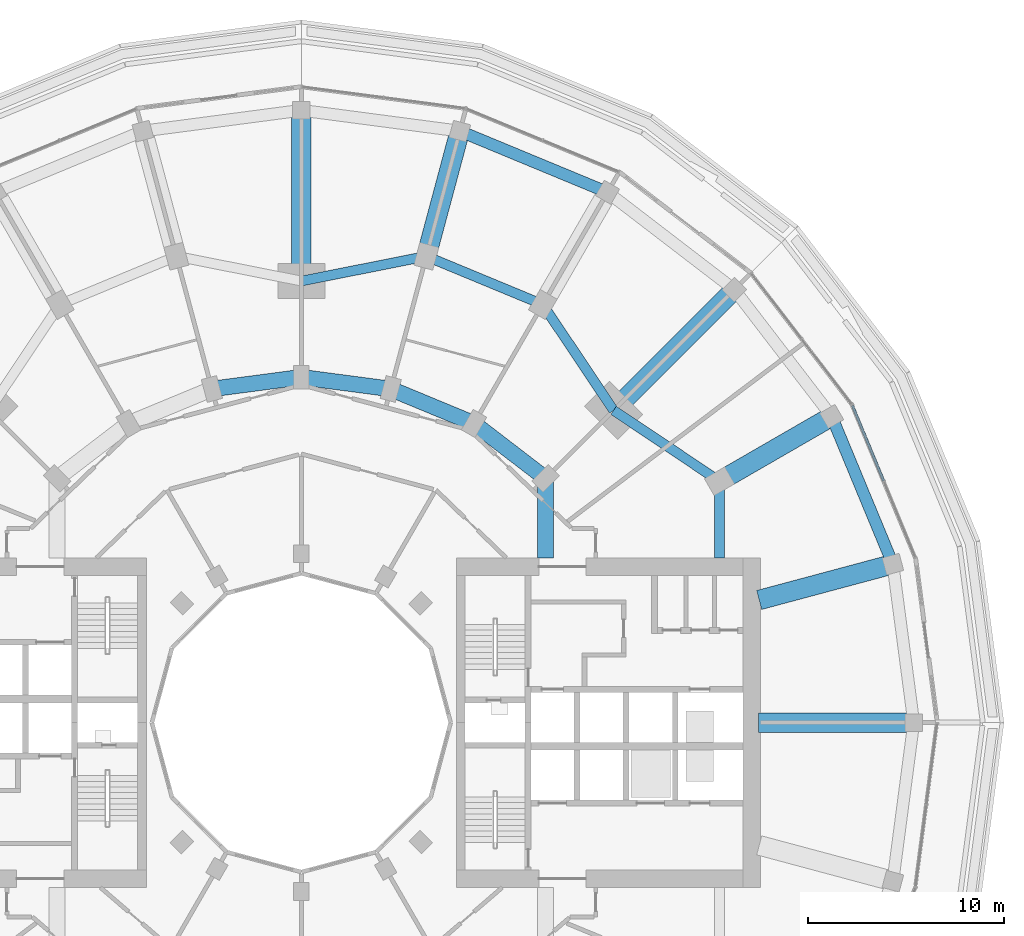
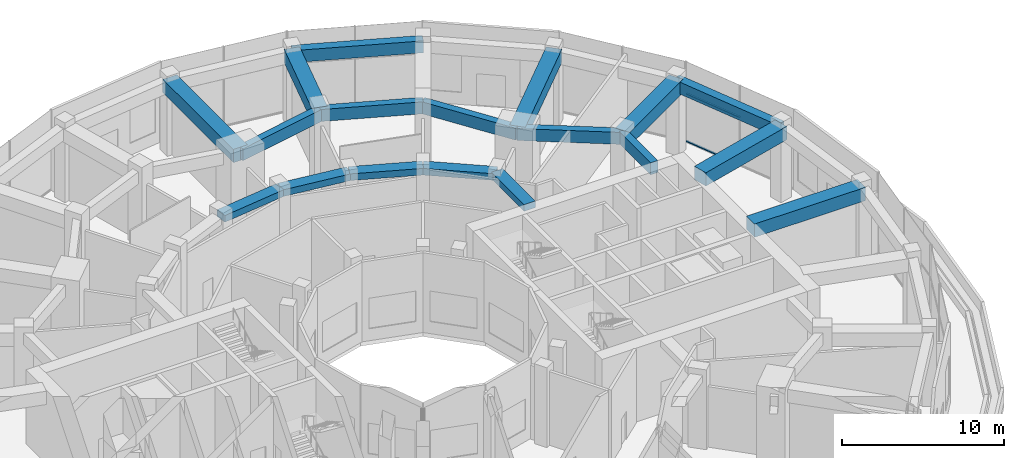
# One storey, part 9 of 23: 18 beams, 2 members, 1 element without a shape of its own.
"""IFC4 building model written with IfcOpenShell, lengths in metres."""

import ifcopenshell
import ifcopenshell.guid

model = None  # the IFC model being written
_history = None  # IfcOwnerHistory: only IFC2X3 demands one
_inside = {}  # id of a spatial element -> (the spatial element, [elements in it])
_under = {}  # id of a project, library or spatial element -> (it, [spatial elements below it])
_declared = {}  # id of a project -> (the project, [libraries it declares])
_typed = {}  # id of a type object -> (the type object, [elements of that type])
_made_of = {}  # id of a material, layer set ... -> (it, [elements and type objects made of it])


def new_model(schema):
    """Start an empty IFC model of exactly this schema.

    Asked for "IFC4X3", IfcOpenShell would pick the latest addendum, in which some entities
    have other attributes; the version numbers below select the first issue.
    IFC2X3 requires an IfcOwnerHistory on every rooted entity: one is made here for all.
    """
    global model, _history
    if schema == "IFC4X3":
        model = ifcopenshell.file(schema_version=(4, 3, 0, 0))
    else:
        model = ifcopenshell.file(schema=schema)
    _inside.clear()
    _under.clear()
    _declared.clear()
    _typed.clear()
    _made_of.clear()
    _history = None
    if model.schema == "IFC2X3":
        org = make("IfcOrganization", Name="unknown")
        user = make(
            "IfcPersonAndOrganization",
            ThePerson=make("IfcPerson", FamilyName="unknown"),
            TheOrganization=org,
        )
        app = make(
            "IfcApplication",
            ApplicationDeveloper=org,
            Version="unknown",
            ApplicationFullName="unknown",
            ApplicationIdentifier="unknown",
        )
        _history = make(
            "IfcOwnerHistory",
            OwningUser=user,
            OwningApplication=app,
            ChangeAction="ADDED",
            CreationDate=0,
        )
    return model


def make(cls, **values):
    """One entity of the class cls with the attributes given. An attribute that is None is left unset."""
    return model.create_entity(
        cls, **{name: value for name, value in values.items() if value is not None}
    )


def rooted(cls, **values):
    """An entity with a GlobalId (a new one), such as an element, a storey or a relation."""
    return make(cls, GlobalId=ifcopenshell.guid.new(), OwnerHistory=_history, **values)


def si_unit(unit_type, name, prefix=None):
    """IfcSIUnit, for example si_unit("LENGTHUNIT", "METRE", prefix="MILLI")."""
    return make("IfcSIUnit", UnitType=unit_type, Prefix=prefix, Name=name)


def assignment(units):
    """IfcUnitAssignment: the units of a project."""
    return None if units is None else make("IfcUnitAssignment", Units=units)


def point(xyz):
    """IfcCartesianPoint."""
    return None if xyz is None else make("IfcCartesianPoint", Coordinates=xyz)


def direction(xyz):
    """IfcDirection."""
    return None if xyz is None else make("IfcDirection", DirectionRatios=xyz)


def frame(location, z_axis=None, x_axis=None):
    """IfcAxis2Placement3D, a coordinate frame: its origin and axes. An axis left out is left unset."""
    return make(
        "IfcAxis2Placement3D",
        Location=point(location),
        Axis=direction(z_axis),
        RefDirection=direction(x_axis),
    )


def frame_2d(location, x_axis=None):
    """IfcAxis2Placement2D, a coordinate frame in the plane: its origin and x axis."""
    return make(
        "IfcAxis2Placement2D", Location=point(location), RefDirection=direction(x_axis)
    )


def origin():
    """The frame at (0, 0, 0) with its axes left unset."""
    return frame((0.0, 0.0, 0.0))


def origin_2d():
    """The frame at (0, 0) in the plane with its x axis left unset."""
    return frame_2d((0.0, 0.0))


def place(relative_to, where):
    """IfcLocalPlacement: puts the frame where relative to a parent placement (None: the world)."""
    return make(
        "IfcLocalPlacement", PlacementRelTo=relative_to, RelativePlacement=where
    )


def context(
    kind, dimensions, precision=None, world=None, true_north=None, identifier=None
):
    """IfcGeometricRepresentationContext, for example the 3D "Model" context."""
    return make(
        "IfcGeometricRepresentationContext",
        ContextIdentifier=identifier,
        ContextType=kind,
        CoordinateSpaceDimension=dimensions,
        Precision=precision,
        WorldCoordinateSystem=world,
        TrueNorth=true_north,
    )


def subcontext(parent, identifier, kind, view, scale=None):
    """IfcGeometricRepresentationSubContext, for example "Body" below "Model"."""
    return make(
        "IfcGeometricRepresentationSubContext",
        ContextIdentifier=identifier,
        ContextType=kind,
        ParentContext=parent,
        TargetScale=scale,
        TargetView=view,
    )


def project(units=None, contexts=None):
    """IfcProject with its units and contexts."""
    return rooted(
        "IfcProject",
        Name="project",
        RepresentationContexts=contexts,
        UnitsInContext=assignment(units),
    )


def spatial(cls, under=None, at=None, **own):
    """A site, building, storey or space (cls), placed at a placement, below another one or the project."""
    s = rooted(cls, ObjectPlacement=at, **own)
    if under is not None:
        _under.setdefault(under.id(), (under, []))[1].append(s)
    return s


def profile(cls, at=None, kind="AREA", **sizes):
    """A parametric profile (cls). Its sizes go by their IFC names, for example OverallWidth=200.0."""
    return make(cls, ProfileType=kind, Position=at, **sizes)


def rectangle(**sizes):
    """IfcRectangleProfileDef."""
    return profile("IfcRectangleProfileDef", **sizes)


def extrude(swept, where, along, depth):
    """IfcExtrudedAreaSolid: the profile swept, set in the frame where, extruded along a direction by depth."""
    return make(
        "IfcExtrudedAreaSolid",
        SweptArea=swept,
        Position=where,
        ExtrudedDirection=direction(along),
        Depth=depth,
    )


def shape(context_of_items, identifier, shape_type, items):
    """IfcShapeRepresentation: the items that make up one representation, for example the "Body"."""
    return make(
        "IfcShapeRepresentation",
        ContextOfItems=context_of_items,
        RepresentationIdentifier=identifier,
        RepresentationType=shape_type,
        Items=items,
    )


def material(Name=None, Category=None):
    """IfcMaterial."""
    return make("IfcMaterial", Name=Name, Category=Category)


def layer(
    of_material, thickness, ventilated=None, Name=None, Category=None, Priority=None
):
    """IfcMaterialLayer: one layer of a wall or slab, of a material (None: an air gap)."""
    return make(
        "IfcMaterialLayer",
        Material=of_material,
        LayerThickness=thickness,
        IsVentilated=ventilated,
        Name=Name,
        Category=Category,
        Priority=Priority,
    )


def layer_set(layers, Name=None):
    """IfcMaterialLayerSet."""
    return make("IfcMaterialLayerSet", MaterialLayers=layers, LayerSetName=Name)


def material_profile(
    of_material, cross_section, Name=None, Category=None, Priority=None
):
    """IfcMaterialProfile: a cross section and its material."""
    return make(
        "IfcMaterialProfile",
        Name=Name,
        Material=of_material,
        Profile=cross_section,
        Priority=Priority,
        Category=Category,
    )


def profile_set(profiles, Name=None, composite=None):
    """IfcMaterialProfileSet."""
    return make(
        "IfcMaterialProfileSet",
        Name=Name,
        MaterialProfiles=profiles,
        CompositeProfile=composite,
    )


def made_of(thing, what):
    """Note that an element or type object is made of a material, layer set ...; save() writes the relation."""
    if what is not None:
        _made_of.setdefault(what.id(), (what, []))[1].append(thing)
    return thing


def type_object(cls, material=None, **own):
    """A type object (cls), such as IfcWallType, which elements share."""
    return made_of(rooted(cls, **own), material)


def element(
    cls,
    number,
    at=None,
    inside=None,
    cuts=None,
    type_object=None,
    material=None,
    context=None,
    identifier="Body",
    shape_type=None,
    held_by="IfcProductDefinitionShape",
    body=None,
    shapes=None,
    **own,
):
    """One element of the class cls, such as IfcWall. Its Tag is "e" and its number.

    at: its placement. inside: the storey or other place that contains it. cuts: it is an
    opening in that element (IfcRelVoidsElement). A single representation is given by context,
    identifier, shape_type and body (its items); several are given by shapes. held_by: the class
    of the entity that holds the representations. save() writes the other relations.
    """
    e = rooted(cls, Tag="e%d" % number, ObjectPlacement=at, **own)
    if body is not None:
        shapes = [shape(context, identifier, shape_type, body)]
    if shapes is not None:
        e.Representation = make(held_by, Representations=shapes)
    if inside is not None:
        _inside.setdefault(inside.id(), (inside, []))[1].append(e)
    if cuts is not None:
        rooted(
            "IfcRelVoidsElement", RelatingBuildingElement=cuts, RelatedOpeningElement=e
        )
    if type_object is not None:
        _typed.setdefault(type_object.id(), (type_object, []))[1].append(e)
    return made_of(e, material)


def aggregate(whole, parts):
    """IfcRelAggregates: a whole, such as a stair, and the parts it consists of."""
    return rooted("IfcRelAggregates", RelatingObject=whole, RelatedObjects=parts)


def save(model, path):
    """Write the relations noted so far, then the file.

    IfcRelAggregates (storeys below a building ...), IfcRelContainedInSpatialStructure (elements
    in a storey), IfcRelDefinesByType, IfcRelAssociatesMaterial and IfcRelDeclares: one each for
    every whole, place, type object, material and project.
    """
    for whole, parts in _under.values():
        aggregate(whole, parts)
    for where, things in _inside.values():
        rooted(
            "IfcRelContainedInSpatialStructure",
            RelatedElements=things,
            RelatingStructure=where,
        )
    for kind, things in _typed.values():
        rooted("IfcRelDefinesByType", RelatedObjects=things, RelatingType=kind)
    for what, things in _made_of.values():
        rooted("IfcRelAssociatesMaterial", RelatedObjects=things, RelatingMaterial=what)
    for by, libraries in _declared.values():
        rooted("IfcRelDeclares", RelatingContext=by, RelatedDefinitions=libraries)
    model.write(path)


model = new_model("IFC4")

# Units and contexts
model_context = context("Model", 3, precision=1e-05, world=origin(), true_north=direction((0.0, 1.0)))
body_context = subcontext(model_context, "Body", "Model", "MODEL_VIEW")
ifc_project = project(units=[si_unit("LENGTHUNIT", "METRE"), si_unit("AREAUNIT", "SQUARE_METRE"), si_unit("VOLUMEUNIT", "CUBIC_METRE"), si_unit("PLANEANGLEUNIT", "RADIAN"), si_unit("MASSUNIT", "GRAM", prefix="KILO")], contexts=[model_context])

# Site, building, storey
site_placement = place(None, origin())
site = spatial("IfcSite", under=ifc_project, at=site_placement, CompositionType="ELEMENT")
building_placement = place(site_placement, origin())
building = spatial("IfcBuilding", under=site, at=building_placement, Name="Torre Brocal", CompositionType="ELEMENT")
storey_placement = place(building_placement, frame((0.0, 0.0, 17.800048828125)))
storey = spatial("IfcBuildingStorey", under=building, at=storey_placement, Name="L03", CompositionType="ELEMENT", Elevation=17.800048828125)

# Curtain wall, members
ifc_material_1 = material(Name="Aluminium and glass", Category="aluminium")
ifc_layer = layer(ifc_material_1, 0.199951171875)
ifc_layer_set = layer_set([ifc_layer], Name="Aluminium and glass")
curtain_wall_type = type_object("IfcCurtainWallType", Name="CW-6 CURTAIN WALL 6000 HIGH", PredefinedType="NOTDEFINED", material=ifc_layer_set)
curtain_wall_placement = place(storey_placement, origin())
curtain_wall = element("IfcCurtainWall", 1, at=curtain_wall_placement, inside=storey, type_object=curtain_wall_type, Name="CW-6 RUN 2", PredefinedType="NOTDEFINED")
ifc_material_2 = material(Name="Aluminium, dark anodised", Category="aluminium")
ifc_material_profile_1 = material_profile(ifc_material_2, rectangle(XDim=0.1298828125, YDim=0.070068359375, at=origin_2d()), Name="CW-6 TRANSOM 130X70")
ifc_profile_set_1 = profile_set([ifc_material_profile_1], Name="Aluminium, dark anodised")
member_type = type_object("IfcMemberType", Name="CW-6 TRANSOM 130X70", PredefinedType="USERDEFINED", material=ifc_profile_set_1)
member_1_placement = place(storey_placement, frame((109.667236328125, 87.315673828125, 0.034912109375), z_axis=(-0.38268227917, 0.923880010179, 0.0), x_axis=(-0.923880010179, -0.38268227917, 0.0)))
member_1 = element("IfcMember", 2, at=member_1_placement, type_object=member_type, Name="CW6-2 transom 2.1", ObjectType="TRANSOM", PredefinedType="USERDEFINED", context=body_context, shape_type="SweptSolid", body=[
    extrude(rectangle(XDim=0.1298828125, YDim=0.070068359375, at=origin_2d()), origin(), (0.0, 0.0, 1.0), 4.15380859375),
])
member_2_placement = place(storey_placement, frame((109.667236328125, 87.315673828125, 3.599853515625), z_axis=(-0.38268227917, 0.923880010179, 0.0), x_axis=(-0.923880010179, -0.38268227917, 0.0)))
member_2 = element("IfcMember", 3, at=member_2_placement, type_object=member_type, Name="CW6-2 transom 2.2", ObjectType="TRANSOM", PredefinedType="USERDEFINED", context=body_context, shape_type="SweptSolid", body=[
    extrude(rectangle(XDim=0.1298828125, YDim=0.070068359375, at=origin_2d()), origin(), (0.0, 0.0, 1.0), 4.15380859375),
])
aggregate(curtain_wall, [member_1, member_2])

# Beams
ifc_material_3 = material(Name="Concrete C50", Category="concrete")
ifc_material_profile_2 = material_profile(ifc_material_3, rectangle(XDim=0.60009765625, YDim=0.89990234375, at=origin_2d()), Name="RC 600X900")
ifc_profile_set_2 = profile_set([ifc_material_profile_2], Name="Concrete C50")
beam_type_1 = type_object("IfcBeamType", Name="RC BEAM 600X900 C50 TOP 5550", PredefinedType="BEAM", material=ifc_profile_set_2)
for number, where, z_axis, x_axis, name in (
    (4, (110.136962890625, 83.0751953125, 5.099853515625), (-0.382686235977, 0.923878371212, 0.0), (-0.923878371212, -0.382686235977, 0.0), "Beam BT-13"),
    (5, (95.60009765625, 102.02001953125, 5.099853515625), (-0.923878371212, 0.382686235977, 0.0), (-0.382686235977, -0.923878371212, 0.0), "Beam BT-13"),
):
    element("IfcBeam", number, at=place(storey_placement, frame(where, z_axis=z_axis, x_axis=x_axis)), inside=storey, type_object=beam_type_1, Name=name, PredefinedType="BEAM", context=body_context, shape_type="SweptSolid", body=[
        extrude(rectangle(XDim=0.60009765625, YDim=0.89990234375, at=origin_2d()), origin(), (0.0, 0.0, 1.0), 8.14501953125),
    ])
ifc_material_4 = material(Name="Concrete C50", Category="concrete")
ifc_material_profile_3 = material_profile(ifc_material_4, rectangle(XDim=0.800048828125, YDim=0.5, at=origin_2d()), Name="RC 800X500")
ifc_profile_set_3 = profile_set([ifc_material_profile_3], Name="Concrete C50")
beam_type_2 = type_object("IfcBeamType", Name="RC BEAM 800X500 C50 TOP 5550", PredefinedType="BEAM", material=ifc_profile_set_3)
beam_1_placement = place(storey_placement, frame((92.445068359375, 87.445068359375, 5.300048828125), z_axis=(-0.793358265959, 0.6087550097, 0.0), x_axis=(-0.6087550097, -0.793358265959, 0.0)))
element("IfcBeam", 6, at=beam_1_placement, inside=storey, type_object=beam_type_2, Name="Beam BT-14", PredefinedType="BEAM", context=body_context, shape_type="SweptSolid", body=[
    extrude(rectangle(XDim=0.800048828125, YDim=0.5, at=origin_2d()), origin(), (0.0, 0.0, 1.0), 4.594482421875),
])
beam_2_placement = place(storey_placement, frame((88.800048828125, 90.241943359375, 5.300048828125), z_axis=(-0.923878240166, 0.382686552348, 0.0), x_axis=(-0.382686552348, -0.923878240166, 0.0)))
element("IfcBeam", 7, at=beam_2_placement, inside=storey, type_object=beam_type_2, Name="Beam BT-14", PredefinedType="BEAM", context=body_context, shape_type="SweptSolid", body=[
    extrude(rectangle(XDim=0.800048828125, YDim=0.5, at=origin_2d()), origin(), (0.0, 0.0, 1.0), 4.5947265625),
])
for number, where, z_axis, x_axis, name in (
    (8, (84.55517578125, 92.000244140625, 5.300048828125), (-0.991440544449, 0.130558978332, 0.0), (-0.130558978332, -0.991440544449, 0.0), "Beam BT-14"),
    (9, (80.0, 92.60009765625, 5.300048828125), (-0.991440544449, -0.130558978332, 0.0), (0.130558978332, -0.991440544449, 0.0), "Beam BT-14"),
):
    element("IfcBeam", number, at=place(storey_placement, frame(where, z_axis=z_axis, x_axis=x_axis)), inside=storey, type_object=beam_type_2, Name=name, PredefinedType="BEAM", context=body_context, shape_type="SweptSolid", body=[
        extrude(rectangle(XDim=0.800048828125, YDim=0.5, at=origin_2d()), origin(), (0.0, 0.0, 1.0), 4.594482421875),
    ])
beam_3_placement = place(storey_placement, frame((92.445068359375, 87.445068359375, 5.300048828125), z_axis=(0.0, -1.0, 0.0), x_axis=(1.0, 0.0, 0.0)))
element("IfcBeam", 10, at=beam_3_placement, inside=storey, type_object=beam_type_2, Name="Beam BT-14", PredefinedType="BEAM", context=body_context, shape_type="SweptSolid", body=[
    extrude(rectangle(XDim=0.800048828125, YDim=0.5, at=origin_2d()), origin(), (0.0, 0.0, 1.0), 4.045166015625),
])
ifc_material_5 = material(Name="Concrete C50", Category="concrete")
ifc_material_profile_4 = material_profile(ifc_material_5, rectangle(XDim=0.5, YDim=0.89990234375, at=origin_2d()), Name="RC 500X900")
ifc_profile_set_4 = profile_set([ifc_material_profile_4], Name="Concrete C50")
beam_type_3 = type_object("IfcBeamType", Name="RC SPANDREL BEAM 500X900 C50 TOP 5550", PredefinedType="SPANDREL", material=ifc_profile_set_4)
for number, where, z_axis, x_axis, name in (
    (11, (101.30419921875, 87.300048828125, 5.099853515625), (-0.831076844476, 0.556157602282, 0.0), (-0.556157602282, -0.831076844476, 0.0), "Beam BT-15"),
    (12, (95.909912109375, 90.909912109375, 5.099853515625), (-0.556157602282, 0.831076844476, 0.0), (-0.831076844476, -0.556157602282, 0.0), "Beam BT-15"),
):
    element("IfcBeam", number, at=place(storey_placement, frame(where, z_axis=z_axis, x_axis=x_axis)), inside=storey, type_object=beam_type_3, Name=name, PredefinedType="SPANDREL", context=body_context, shape_type="SweptSolid", body=[
        extrude(rectangle(XDim=0.5, YDim=0.89990234375, at=origin_2d()), origin(), (0.0, 0.0, 1.0), 6.49072265625),
    ])
beam_4_placement = place(storey_placement, frame((92.300048828125, 96.30419921875, 5.099853515625), z_axis=(-0.923882462513, 0.382676358639, 0.0), x_axis=(-0.382676358639, -0.923882462513, 0.0)))
element("IfcBeam", 13, at=beam_4_placement, inside=storey, type_object=beam_type_3, Name="Beam BT-15", PredefinedType="SPANDREL", context=body_context, shape_type="SweptSolid", body=[
    extrude(rectangle(XDim=0.5, YDim=0.89990234375, at=origin_2d()), origin(), (0.0, 0.0, 1.0), 6.421875),
])
beam_5_placement = place(storey_placement, frame((86.366943359375, 98.76171875, 5.099853515625), z_axis=(-0.980924907484, -0.194387051723, 0.0), x_axis=(0.194387051723, -0.980924907484, 0.0)))
element("IfcBeam", 14, at=beam_5_placement, inside=storey, type_object=beam_type_3, Name="Beam BT-15", PredefinedType="SPANDREL", context=body_context, shape_type="SweptSolid", body=[
    extrude(rectangle(XDim=0.5, YDim=0.89990234375, at=origin_2d()), origin(), (0.0, 0.0, 1.0), 6.49072265625),
])
beam_6_placement = place(storey_placement, frame((101.30419921875, 87.300048828125, 5.099853515625), z_axis=(0.0, -1.0, 0.0), x_axis=(1.0, 0.0, 0.0)))
element("IfcBeam", 15, at=beam_6_placement, inside=storey, type_object=beam_type_3, Name="Beam BT-15", PredefinedType="SPANDREL", context=body_context, shape_type="SweptSolid", body=[
    extrude(rectangle(XDim=0.5, YDim=0.89990234375, at=origin_2d()), origin(), (0.0, 0.0, 1.0), 3.900146484375),
])
ifc_material_6 = material(Name="Concrete C60", Category="concrete")
ifc_material_profile_5 = material_profile(ifc_material_6, rectangle(XDim=1.0, YDim=1.0, at=origin_2d()), Name="RC 1000X1000")
ifc_profile_set_5 = profile_set([ifc_material_profile_5], Name="Concrete C60")
beam_type_4 = type_object("IfcBeamType", Name="RC TRANSFER GIRDER 1000X1000 C60 TOP 5550", PredefinedType="BEAM", material=ifc_profile_set_5)
beam_7_placement = place(storey_placement, frame((80.0, 97.5, 5.050048828125), z_axis=(0.0, 1.0, 0.0), x_axis=(-1.0, 0.0, 0.0)))
element("IfcBeam", 16, at=beam_7_placement, inside=storey, type_object=beam_type_4, Name="Beam TG-04", PredefinedType="BEAM", context=body_context, shape_type="SweptSolid", body=[
    extrude(rectangle(XDim=1.0, YDim=1.0, at=origin_2d()), origin(), (0.0, 0.0, 1.0), 8.699951171875),
])
beam_8_placement = place(storey_placement, frame((86.366943359375, 98.76171875, 5.050048828125), z_axis=(0.258820520092, 0.965925431066, 0.0), x_axis=(-0.965925431066, 0.258820520092, 0.0)))
element("IfcBeam", 17, at=beam_8_placement, inside=storey, type_object=beam_type_4, Name="Beam TG-04", PredefinedType="BEAM", context=body_context, shape_type="SweptSolid", body=[
    extrude(rectangle(XDim=1.0, YDim=1.0, at=origin_2d()), origin(), (0.0, 0.0, 1.0), 6.60009765625),
])
beam_9_placement = place(storey_placement, frame((95.909912109375, 90.909912109375, 5.050048828125), z_axis=(0.707106781187, 0.707106781187, 0.0), x_axis=(-0.707106781187, 0.707106781187, 0.0)))
element("IfcBeam", 18, at=beam_9_placement, inside=storey, type_object=beam_type_4, Name="Beam TG-04", PredefinedType="BEAM", context=body_context, shape_type="SweptSolid", body=[
    extrude(rectangle(XDim=1.0, YDim=1.0, at=origin_2d()), origin(), (0.0, 0.0, 1.0), 8.699951171875),
])
beam_10_placement = place(storey_placement, frame((101.30419921875, 87.300048828125, 5.050048828125), z_axis=(0.866024194504, 0.500002094529, 0.0), x_axis=(-0.500002094529, 0.866024194504, 0.0)))
element("IfcBeam", 19, at=beam_10_placement, inside=storey, type_object=beam_type_4, Name="Beam TG-04", PredefinedType="BEAM", context=body_context, shape_type="SweptSolid", body=[
    extrude(rectangle(XDim=1.0, YDim=1.0, at=origin_2d()), origin(), (0.0, 0.0, 1.0), 6.60009765625),
])
beam_11_placement = place(storey_placement, frame((103.300048828125, 75.0, 5.050048828125), z_axis=(1.0, 0.0, 0.0), x_axis=(0.0, 1.0, 0.0)))
element("IfcBeam", 20, at=beam_11_placement, inside=storey, type_object=beam_type_4, Name="Beam TG-04", PredefinedType="BEAM", context=body_context, shape_type="SweptSolid", body=[
    extrude(rectangle(XDim=1.0, YDim=1.0, at=origin_2d()), origin(), (0.0, 0.0, 1.0), 7.89990234375),
])
beam_12_placement = place(storey_placement, frame((103.3271484375, 81.25048828125, 5.050048828125), z_axis=(0.965925019625, 0.258822055594, 0.0), x_axis=(-0.258822055594, 0.965925019625, 0.0)))
element("IfcBeam", 21, at=beam_12_placement, inside=storey, type_object=beam_type_4, Name="Beam TG-04", PredefinedType="BEAM", context=body_context, shape_type="SweptSolid", body=[
    extrude(rectangle(XDim=1.0, YDim=1.0, at=origin_2d()), origin(), (0.0, 0.0, 1.0), 7.050048828125),
])

save(model, "model.ifc")
